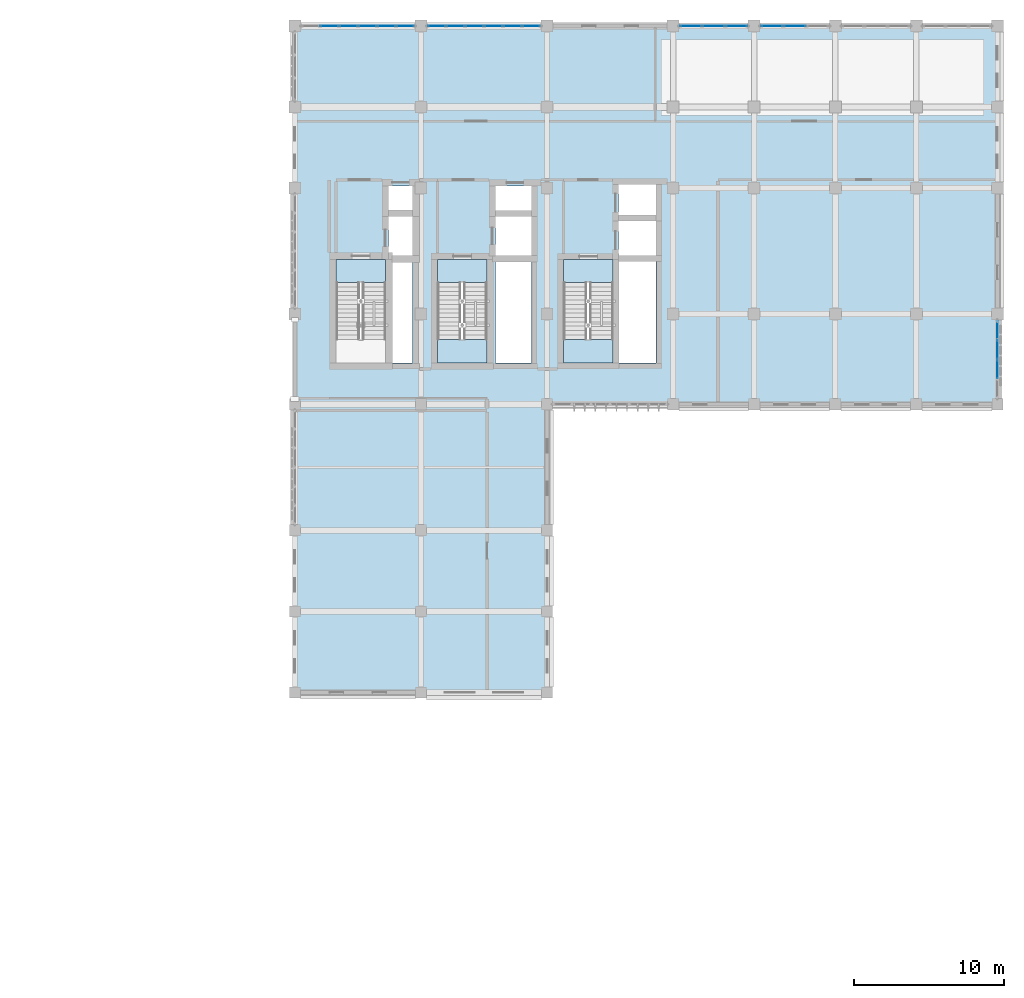
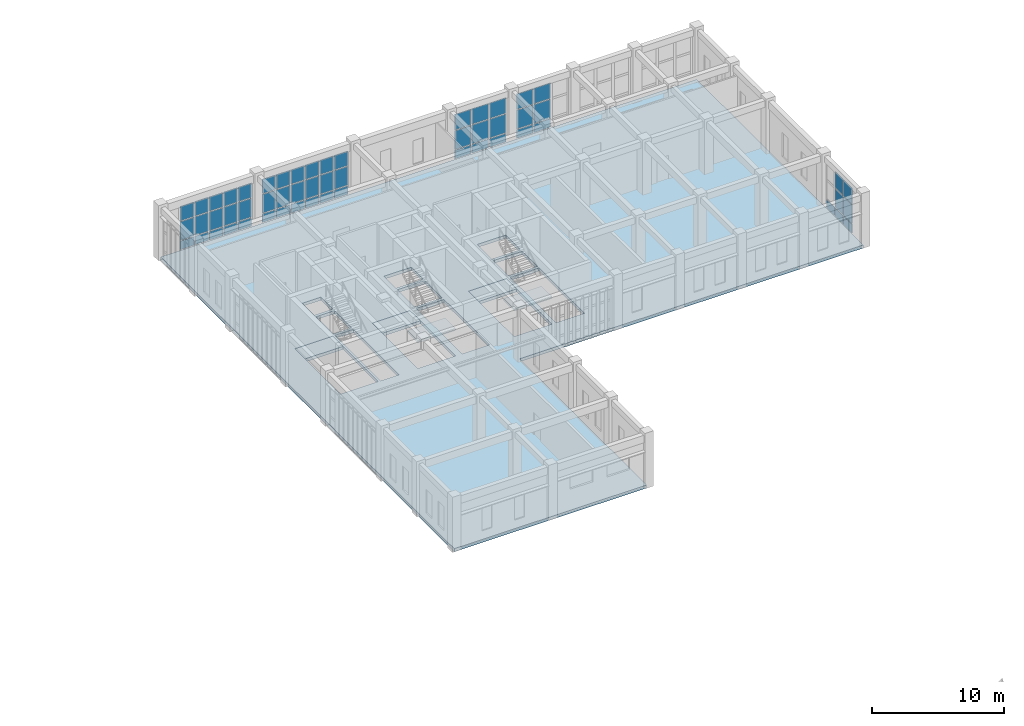
# One storey, part 52 of 77: 55 plates, 6 slabs, 7 elements without a shape of their own.
"""IFC4 building model written with IfcOpenShell, lengths in metres."""

from ifc_helpers import new_model, si_unit, direction, frame, origin, origin_2d, place, context, subcontext, project, spatial, polyline, rectangle, outline, extrude, material, layer, layer_set, type_object, element, aggregate, save


model = new_model("IFC4")

# Units and contexts
model_context = context("Model", 3, precision=1e-05, world=origin(), true_north=direction((0.0, 1.0)))
body_context = subcontext(model_context, "Body", "Model", "MODEL_VIEW")
ifc_project = project(units=[si_unit("LENGTHUNIT", "METRE"), si_unit("AREAUNIT", "SQUARE_METRE"), si_unit("VOLUMEUNIT", "CUBIC_METRE"), si_unit("PLANEANGLEUNIT", "RADIAN"), si_unit("MASSUNIT", "GRAM", prefix="KILO")], contexts=[model_context])

# Site, building, storey
site_placement = place(None, origin())
site = spatial("IfcSite", under=ifc_project, at=site_placement, CompositionType="ELEMENT")
building_placement = place(site_placement, origin())
building = spatial("IfcBuilding", under=site, at=building_placement, Name="Krzemoval Escarpment Law Courts", CompositionType="ELEMENT")
storey_placement = place(building_placement, frame((0.0, 0.0, 15.300048828125)))
storey = spatial("IfcBuildingStorey", under=building, at=storey_placement, Name="L03", CompositionType="ELEMENT", Elevation=15.300048828125)

# Curtain wall, plates
ifc_material_1 = material(Name="Aluminium 6063-T6", Category="aluminium")
ifc_layer_1 = layer(ifc_material_1, 0.239990234375)
ifc_layer_set_1 = layer_set([ifc_layer_1], Name="Aluminium 6063-T6")
curtain_wall_type = type_object("IfcCurtainWallType", Name="CW-CHMB-4800", PredefinedType="USERDEFINED", material=ifc_layer_set_1)
curtain_wall_1_placement = place(storey_placement, origin())
curtain_wall_1 = element("IfcCurtainWall", 1, at=curtain_wall_1_placement, inside=storey, type_object=curtain_wall_type, Name="Unitised Curtain Wall FCW-L03-114", ObjectType="UNITISED_CURTAIN_WALL", PredefinedType="USERDEFINED")
ifc_material_2 = material(Name="Triple Glazing IGU", Category="glass")
ifc_layer_2 = layer(ifc_material_2, 0.048095703125)
ifc_layer_set_2 = layer_set([ifc_layer_2], Name="Triple Glazing IGU")
plate_type = type_object("IfcPlateType", Name="CWP-GLZ-48", PredefinedType="CURTAIN_PANEL", material=ifc_layer_set_2)
plate_1_placement = place(storey_placement, frame((128.300048828125, 118.800048828125, 0.074951171875), z_axis=(0.0, 0.0, 1.0), x_axis=(1.0, 0.0, 0.0)))
plate_1 = element("IfcPlate", 2, at=plate_1_placement, type_object=plate_type, Name="FCW-L03-114 panel 2.1", PredefinedType="CURTAIN_PANEL", context=body_context, shape_type="SweptSolid", body=[
    extrude(rectangle(XDim=1.191650390625, YDim=0.048095703125, at=origin_2d()), origin(), (0.0, 0.0, 1.0), 0.78759765625),
])
plate_2_placement = place(storey_placement, frame((128.300048828125, 118.800048828125, 0.9375), z_axis=(0.0, 0.0, 1.0), x_axis=(1.0, 0.0, 0.0)))
plate_2 = element("IfcPlate", 3, at=plate_2_placement, type_object=plate_type, Name="FCW-L03-114 panel 2.2", PredefinedType="CURTAIN_PANEL", context=body_context, shape_type="SweptSolid", body=[
    extrude(rectangle(XDim=1.191650390625, YDim=0.048095703125, at=origin_2d()), origin(), (0.0, 0.0, 1.0), 1.72509765625),
])
plate_3_placement = place(storey_placement, frame((128.300048828125, 118.800048828125, 2.7373046875), z_axis=(0.0, 0.0, 1.0), x_axis=(1.0, 0.0, 0.0)))
plate_3 = element("IfcPlate", 4, at=plate_3_placement, type_object=plate_type, Name="FCW-L03-114 panel 2.3", PredefinedType="CURTAIN_PANEL", context=body_context, shape_type="SweptSolid", body=[
    extrude(rectangle(XDim=1.191650390625, YDim=0.048095703125, at=origin_2d()), origin(), (0.0, 0.0, 1.0), 1.327392578125),
])
plate_4_placement = place(storey_placement, frame((129.566650390625, 118.800048828125, 0.074951171875), z_axis=(0.0, 0.0, 1.0), x_axis=(1.0, 0.0, 0.0)))
plate_4 = element("IfcPlate", 5, at=plate_4_placement, type_object=plate_type, Name="FCW-L03-114 panel 3.1", PredefinedType="CURTAIN_PANEL", context=body_context, shape_type="SweptSolid", body=[
    extrude(rectangle(XDim=1.191650390625, YDim=0.048095703125, at=origin_2d()), origin(), (0.0, 0.0, 1.0), 0.78759765625),
])
plate_5_placement = place(storey_placement, frame((129.566650390625, 118.800048828125, 0.9375), z_axis=(0.0, 0.0, 1.0), x_axis=(1.0, 0.0, 0.0)))
plate_5 = element("IfcPlate", 6, at=plate_5_placement, type_object=plate_type, Name="FCW-L03-114 panel 3.2", PredefinedType="CURTAIN_PANEL", context=body_context, shape_type="SweptSolid", body=[
    extrude(rectangle(XDim=1.191650390625, YDim=0.048095703125, at=origin_2d()), origin(), (0.0, 0.0, 1.0), 1.72509765625),
])
plate_6_placement = place(storey_placement, frame((129.566650390625, 118.800048828125, 2.7373046875), z_axis=(0.0, 0.0, 1.0), x_axis=(1.0, 0.0, 0.0)))
plate_6 = element("IfcPlate", 7, at=plate_6_placement, type_object=plate_type, Name="FCW-L03-114 panel 3.3", PredefinedType="CURTAIN_PANEL", context=body_context, shape_type="SweptSolid", body=[
    extrude(rectangle(XDim=1.191650390625, YDim=0.048095703125, at=origin_2d()), origin(), (0.0, 0.0, 1.0), 1.327392578125),
])
plate_7_placement = place(storey_placement, frame((130.833251953125, 118.800048828125, 0.074951171875), z_axis=(0.0, 0.0, 1.0), x_axis=(1.0, 0.0, 0.0)))
plate_7 = element("IfcPlate", 8, at=plate_7_placement, type_object=plate_type, Name="FCW-L03-114 panel 4.1", PredefinedType="CURTAIN_PANEL", context=body_context, shape_type="SweptSolid", body=[
    extrude(rectangle(XDim=1.191650390625, YDim=0.048095703125, at=origin_2d()), origin(), (0.0, 0.0, 1.0), 0.78759765625),
])
plate_8_placement = place(storey_placement, frame((130.833251953125, 118.800048828125, 0.9375), z_axis=(0.0, 0.0, 1.0), x_axis=(1.0, 0.0, 0.0)))
plate_8 = element("IfcPlate", 9, at=plate_8_placement, type_object=plate_type, Name="FCW-L03-114 panel 4.2", PredefinedType="CURTAIN_PANEL", context=body_context, shape_type="SweptSolid", body=[
    extrude(rectangle(XDim=1.191650390625, YDim=0.048095703125, at=origin_2d()), origin(), (0.0, 0.0, 1.0), 1.72509765625),
])
plate_9_placement = place(storey_placement, frame((130.833251953125, 118.800048828125, 2.7373046875), z_axis=(0.0, 0.0, 1.0), x_axis=(1.0, 0.0, 0.0)))
plate_9 = element("IfcPlate", 10, at=plate_9_placement, type_object=plate_type, Name="FCW-L03-114 panel 4.3", PredefinedType="CURTAIN_PANEL", context=body_context, shape_type="SweptSolid", body=[
    extrude(rectangle(XDim=1.191650390625, YDim=0.048095703125, at=origin_2d()), origin(), (0.0, 0.0, 1.0), 1.327392578125),
])
plate_10_placement = place(storey_placement, frame((132.10009765625, 118.800048828125, 0.074951171875), z_axis=(0.0, 0.0, 1.0), x_axis=(1.0, 0.0, 0.0)))
plate_10 = element("IfcPlate", 11, at=plate_10_placement, type_object=plate_type, Name="FCW-L03-114 panel 5.1", PredefinedType="CURTAIN_PANEL", context=body_context, shape_type="SweptSolid", body=[
    extrude(rectangle(XDim=1.191650390625, YDim=0.048095703125, at=origin_2d()), origin(), (0.0, 0.0, 1.0), 0.78759765625),
])
plate_11_placement = place(storey_placement, frame((132.10009765625, 118.800048828125, 0.9375), z_axis=(0.0, 0.0, 1.0), x_axis=(1.0, 0.0, 0.0)))
plate_11 = element("IfcPlate", 12, at=plate_11_placement, type_object=plate_type, Name="FCW-L03-114 panel 5.2", PredefinedType="CURTAIN_PANEL", context=body_context, shape_type="SweptSolid", body=[
    extrude(rectangle(XDim=1.191650390625, YDim=0.048095703125, at=origin_2d()), origin(), (0.0, 0.0, 1.0), 1.72509765625),
])
plate_12_placement = place(storey_placement, frame((132.10009765625, 118.800048828125, 2.7373046875), z_axis=(0.0, 0.0, 1.0), x_axis=(1.0, 0.0, 0.0)))
plate_12 = element("IfcPlate", 13, at=plate_12_placement, type_object=plate_type, Name="FCW-L03-114 panel 5.3", PredefinedType="CURTAIN_PANEL", context=body_context, shape_type="SweptSolid", body=[
    extrude(rectangle(XDim=1.191650390625, YDim=0.048095703125, at=origin_2d()), origin(), (0.0, 0.0, 1.0), 1.327392578125),
])
plate_13_placement = place(storey_placement, frame((133.347900390625, 118.800048828125, 0.074951171875), z_axis=(0.0, 0.0, 1.0), x_axis=(1.0, 0.0, 0.0)))
plate_13 = element("IfcPlate", 14, at=plate_13_placement, type_object=plate_type, Name="FCW-L03-114 panel 6.1", PredefinedType="CURTAIN_PANEL", context=body_context, shape_type="SweptSolid", body=[
    extrude(rectangle(XDim=1.154052734375, YDim=0.048095703125, at=origin_2d()), origin(), (0.0, 0.0, 1.0), 0.78759765625),
])
plate_14_placement = place(storey_placement, frame((133.347900390625, 118.800048828125, 0.9375), z_axis=(0.0, 0.0, 1.0), x_axis=(1.0, 0.0, 0.0)))
plate_14 = element("IfcPlate", 15, at=plate_14_placement, type_object=plate_type, Name="FCW-L03-114 panel 6.2", PredefinedType="CURTAIN_PANEL", context=body_context, shape_type="SweptSolid", body=[
    extrude(rectangle(XDim=1.154052734375, YDim=0.048095703125, at=origin_2d()), origin(), (0.0, 0.0, 1.0), 1.72509765625),
])
plate_15_placement = place(storey_placement, frame((133.347900390625, 118.800048828125, 2.7373046875), z_axis=(0.0, 0.0, 1.0), x_axis=(1.0, 0.0, 0.0)))
plate_15 = element("IfcPlate", 16, at=plate_15_placement, type_object=plate_type, Name="FCW-L03-114 panel 6.3", PredefinedType="CURTAIN_PANEL", context=body_context, shape_type="SweptSolid", body=[
    extrude(rectangle(XDim=1.154052734375, YDim=0.048095703125, at=origin_2d()), origin(), (0.0, 0.0, 1.0), 1.327392578125),
])
aggregate(curtain_wall_1, [plate_1, plate_2, plate_3, plate_4, plate_5, plate_6, plate_7, plate_8, plate_9, plate_10, plate_11, plate_12, plate_13, plate_14, plate_15])

curtain_wall_2_placement = place(storey_placement, origin())
curtain_wall_2 = element("IfcCurtainWall", 17, at=curtain_wall_2_placement, inside=storey, type_object=curtain_wall_type, Name="Unitised Curtain Wall FCW-L03-115", ObjectType="UNITISED_CURTAIN_WALL", PredefinedType="USERDEFINED")
plate_16_placement = place(storey_placement, frame((135.4521484375, 118.800048828125, 0.074951171875), z_axis=(0.0, 0.0, 1.0), x_axis=(1.0, 0.0, 0.0)))
plate_16 = element("IfcPlate", 18, at=plate_16_placement, type_object=plate_type, Name="FCW-L03-115 panel 1.1", PredefinedType="CURTAIN_PANEL", context=body_context, shape_type="SweptSolid", body=[
    extrude(rectangle(XDim=1.154052734375, YDim=0.048095703125, at=origin_2d()), origin(), (0.0, 0.0, 1.0), 0.78759765625),
])
plate_17_placement = place(storey_placement, frame((135.4521484375, 118.800048828125, 0.9375), z_axis=(0.0, 0.0, 1.0), x_axis=(1.0, 0.0, 0.0)))
plate_17 = element("IfcPlate", 19, at=plate_17_placement, type_object=plate_type, Name="FCW-L03-115 panel 1.2", PredefinedType="CURTAIN_PANEL", context=body_context, shape_type="SweptSolid", body=[
    extrude(rectangle(XDim=1.154052734375, YDim=0.048095703125, at=origin_2d()), origin(), (0.0, 0.0, 1.0), 1.72509765625),
])
plate_18_placement = place(storey_placement, frame((135.4521484375, 118.800048828125, 2.7373046875), z_axis=(0.0, 0.0, 1.0), x_axis=(1.0, 0.0, 0.0)))
plate_18 = element("IfcPlate", 20, at=plate_18_placement, type_object=plate_type, Name="FCW-L03-115 panel 1.3", PredefinedType="CURTAIN_PANEL", context=body_context, shape_type="SweptSolid", body=[
    extrude(rectangle(XDim=1.154052734375, YDim=0.048095703125, at=origin_2d()), origin(), (0.0, 0.0, 1.0), 1.327392578125),
])
plate_19_placement = place(storey_placement, frame((136.699951171875, 118.800048828125, 0.074951171875), z_axis=(0.0, 0.0, 1.0), x_axis=(1.0, 0.0, 0.0)))
plate_19 = element("IfcPlate", 21, at=plate_19_placement, type_object=plate_type, Name="FCW-L03-115 panel 2.1", PredefinedType="CURTAIN_PANEL", context=body_context, shape_type="SweptSolid", body=[
    extrude(rectangle(XDim=1.191650390625, YDim=0.048095703125, at=origin_2d()), origin(), (0.0, 0.0, 1.0), 0.78759765625),
])
plate_20_placement = place(storey_placement, frame((136.699951171875, 118.800048828125, 0.9375), z_axis=(0.0, 0.0, 1.0), x_axis=(1.0, 0.0, 0.0)))
plate_20 = element("IfcPlate", 22, at=plate_20_placement, type_object=plate_type, Name="FCW-L03-115 panel 2.2", PredefinedType="CURTAIN_PANEL", context=body_context, shape_type="SweptSolid", body=[
    extrude(rectangle(XDim=1.191650390625, YDim=0.048095703125, at=origin_2d()), origin(), (0.0, 0.0, 1.0), 1.72509765625),
])
plate_21_placement = place(storey_placement, frame((136.699951171875, 118.800048828125, 2.7373046875), z_axis=(0.0, 0.0, 1.0), x_axis=(1.0, 0.0, 0.0)))
plate_21 = element("IfcPlate", 23, at=plate_21_placement, type_object=plate_type, Name="FCW-L03-115 panel 2.3", PredefinedType="CURTAIN_PANEL", context=body_context, shape_type="SweptSolid", body=[
    extrude(rectangle(XDim=1.191650390625, YDim=0.048095703125, at=origin_2d()), origin(), (0.0, 0.0, 1.0), 1.327392578125),
])
plate_22_placement = place(storey_placement, frame((137.966552734375, 118.800048828125, 0.074951171875), z_axis=(0.0, 0.0, 1.0), x_axis=(1.0, 0.0, 0.0)))
plate_22 = element("IfcPlate", 24, at=plate_22_placement, type_object=plate_type, Name="FCW-L03-115 panel 3.1", PredefinedType="CURTAIN_PANEL", context=body_context, shape_type="SweptSolid", body=[
    extrude(rectangle(XDim=1.191650390625, YDim=0.048095703125, at=origin_2d()), origin(), (0.0, 0.0, 1.0), 0.78759765625),
])
plate_23_placement = place(storey_placement, frame((137.966552734375, 118.800048828125, 0.9375), z_axis=(0.0, 0.0, 1.0), x_axis=(1.0, 0.0, 0.0)))
plate_23 = element("IfcPlate", 25, at=plate_23_placement, type_object=plate_type, Name="FCW-L03-115 panel 3.2", PredefinedType="CURTAIN_PANEL", context=body_context, shape_type="SweptSolid", body=[
    extrude(rectangle(XDim=1.191650390625, YDim=0.048095703125, at=origin_2d()), origin(), (0.0, 0.0, 1.0), 1.72509765625),
])
plate_24_placement = place(storey_placement, frame((137.966552734375, 118.800048828125, 2.7373046875), z_axis=(0.0, 0.0, 1.0), x_axis=(1.0, 0.0, 0.0)))
plate_24 = element("IfcPlate", 26, at=plate_24_placement, type_object=plate_type, Name="FCW-L03-115 panel 3.3", PredefinedType="CURTAIN_PANEL", context=body_context, shape_type="SweptSolid", body=[
    extrude(rectangle(XDim=1.191650390625, YDim=0.048095703125, at=origin_2d()), origin(), (0.0, 0.0, 1.0), 1.327392578125),
])
plate_25_placement = place(storey_placement, frame((139.2333984375, 118.800048828125, 0.074951171875), z_axis=(0.0, 0.0, 1.0), x_axis=(1.0, 0.0, 0.0)))
plate_25 = element("IfcPlate", 27, at=plate_25_placement, type_object=plate_type, Name="FCW-L03-115 panel 4.1", PredefinedType="CURTAIN_PANEL", context=body_context, shape_type="SweptSolid", body=[
    extrude(rectangle(XDim=1.191650390625, YDim=0.048095703125, at=origin_2d()), origin(), (0.0, 0.0, 1.0), 0.78759765625),
])
plate_26_placement = place(storey_placement, frame((139.2333984375, 118.800048828125, 0.9375), z_axis=(0.0, 0.0, 1.0), x_axis=(1.0, 0.0, 0.0)))
plate_26 = element("IfcPlate", 28, at=plate_26_placement, type_object=plate_type, Name="FCW-L03-115 panel 4.2", PredefinedType="CURTAIN_PANEL", context=body_context, shape_type="SweptSolid", body=[
    extrude(rectangle(XDim=1.191650390625, YDim=0.048095703125, at=origin_2d()), origin(), (0.0, 0.0, 1.0), 1.72509765625),
])
plate_27_placement = place(storey_placement, frame((139.2333984375, 118.800048828125, 2.7373046875), z_axis=(0.0, 0.0, 1.0), x_axis=(1.0, 0.0, 0.0)))
plate_27 = element("IfcPlate", 29, at=plate_27_placement, type_object=plate_type, Name="FCW-L03-115 panel 4.3", PredefinedType="CURTAIN_PANEL", context=body_context, shape_type="SweptSolid", body=[
    extrude(rectangle(XDim=1.191650390625, YDim=0.048095703125, at=origin_2d()), origin(), (0.0, 0.0, 1.0), 1.327392578125),
])
plate_28_placement = place(storey_placement, frame((140.5, 118.800048828125, 0.074951171875), z_axis=(0.0, 0.0, 1.0), x_axis=(1.0, 0.0, 0.0)))
plate_28 = element("IfcPlate", 30, at=plate_28_placement, type_object=plate_type, Name="FCW-L03-115 panel 5.1", PredefinedType="CURTAIN_PANEL", context=body_context, shape_type="SweptSolid", body=[
    extrude(rectangle(XDim=1.191650390625, YDim=0.048095703125, at=origin_2d()), origin(), (0.0, 0.0, 1.0), 0.78759765625),
])
plate_29_placement = place(storey_placement, frame((140.5, 118.800048828125, 0.9375), z_axis=(0.0, 0.0, 1.0), x_axis=(1.0, 0.0, 0.0)))
plate_29 = element("IfcPlate", 31, at=plate_29_placement, type_object=plate_type, Name="FCW-L03-115 panel 5.2", PredefinedType="CURTAIN_PANEL", context=body_context, shape_type="SweptSolid", body=[
    extrude(rectangle(XDim=1.191650390625, YDim=0.048095703125, at=origin_2d()), origin(), (0.0, 0.0, 1.0), 1.72509765625),
])
plate_30_placement = place(storey_placement, frame((140.5, 118.800048828125, 2.7373046875), z_axis=(0.0, 0.0, 1.0), x_axis=(1.0, 0.0, 0.0)))
plate_30 = element("IfcPlate", 32, at=plate_30_placement, type_object=plate_type, Name="FCW-L03-115 panel 5.3", PredefinedType="CURTAIN_PANEL", context=body_context, shape_type="SweptSolid", body=[
    extrude(rectangle(XDim=1.191650390625, YDim=0.048095703125, at=origin_2d()), origin(), (0.0, 0.0, 1.0), 1.327392578125),
])
plate_31_placement = place(storey_placement, frame((141.747802734375, 118.800048828125, 0.074951171875), z_axis=(0.0, 0.0, 1.0), x_axis=(1.0, 0.0, 0.0)))
plate_31 = element("IfcPlate", 33, at=plate_31_placement, type_object=plate_type, Name="FCW-L03-115 panel 6.1", PredefinedType="CURTAIN_PANEL", context=body_context, shape_type="SweptSolid", body=[
    extrude(rectangle(XDim=1.154052734375, YDim=0.048095703125, at=origin_2d()), origin(), (0.0, 0.0, 1.0), 0.78759765625),
])
plate_32_placement = place(storey_placement, frame((141.747802734375, 118.800048828125, 0.9375), z_axis=(0.0, 0.0, 1.0), x_axis=(1.0, 0.0, 0.0)))
plate_32 = element("IfcPlate", 34, at=plate_32_placement, type_object=plate_type, Name="FCW-L03-115 panel 6.2", PredefinedType="CURTAIN_PANEL", context=body_context, shape_type="SweptSolid", body=[
    extrude(rectangle(XDim=1.154052734375, YDim=0.048095703125, at=origin_2d()), origin(), (0.0, 0.0, 1.0), 1.72509765625),
])
plate_33_placement = place(storey_placement, frame((141.747802734375, 118.800048828125, 2.7373046875), z_axis=(0.0, 0.0, 1.0), x_axis=(1.0, 0.0, 0.0)))
plate_33 = element("IfcPlate", 35, at=plate_33_placement, type_object=plate_type, Name="FCW-L03-115 panel 6.3", PredefinedType="CURTAIN_PANEL", context=body_context, shape_type="SweptSolid", body=[
    extrude(rectangle(XDim=1.154052734375, YDim=0.048095703125, at=origin_2d()), origin(), (0.0, 0.0, 1.0), 1.327392578125),
])
aggregate(curtain_wall_2, [plate_16, plate_17, plate_18, plate_19, plate_20, plate_21, plate_22, plate_23, plate_24, plate_25, plate_26, plate_27, plate_28, plate_29, plate_30, plate_31, plate_32, plate_33])

curtain_wall_3_placement = place(storey_placement, origin())
curtain_wall_3 = element("IfcCurtainWall", 36, at=curtain_wall_3_placement, inside=storey, type_object=curtain_wall_type, Name="Unitised Curtain Wall FCW-L03-116", ObjectType="UNITISED_CURTAIN_WALL", PredefinedType="USERDEFINED")
plate_34_placement = place(storey_placement, frame((152.385498046875, 118.800048828125, 0.074951171875), z_axis=(0.0, 0.0, 1.0), x_axis=(1.0, 0.0, 0.0)))
plate_34 = element("IfcPlate", 37, at=plate_34_placement, type_object=plate_type, Name="FCW-L03-116 panel 1.1", PredefinedType="CURTAIN_PANEL", context=body_context, shape_type="SweptSolid", body=[
    extrude(rectangle(XDim=1.4208984375, YDim=0.048095703125, at=origin_2d()), origin(), (0.0, 0.0, 1.0), 0.78759765625),
])
plate_35_placement = place(storey_placement, frame((152.385498046875, 118.800048828125, 0.9375), z_axis=(0.0, 0.0, 1.0), x_axis=(1.0, 0.0, 0.0)))
plate_35 = element("IfcPlate", 38, at=plate_35_placement, type_object=plate_type, Name="FCW-L03-116 panel 1.2", PredefinedType="CURTAIN_PANEL", context=body_context, shape_type="SweptSolid", body=[
    extrude(rectangle(XDim=1.4208984375, YDim=0.048095703125, at=origin_2d()), origin(), (0.0, 0.0, 1.0), 1.72509765625),
])
plate_36_placement = place(storey_placement, frame((152.385498046875, 118.800048828125, 2.7373046875), z_axis=(0.0, 0.0, 1.0), x_axis=(1.0, 0.0, 0.0)))
plate_36 = element("IfcPlate", 39, at=plate_36_placement, type_object=plate_type, Name="FCW-L03-116 panel 1.3", PredefinedType="CURTAIN_PANEL", context=body_context, shape_type="SweptSolid", body=[
    extrude(rectangle(XDim=1.4208984375, YDim=0.048095703125, at=origin_2d()), origin(), (0.0, 0.0, 1.0), 1.427490234375),
])
plate_37_placement = place(storey_placement, frame((153.89990234375, 118.800048828125, 0.074951171875), z_axis=(0.0, 0.0, 1.0), x_axis=(1.0, 0.0, 0.0)))
plate_37 = element("IfcPlate", 40, at=plate_37_placement, type_object=plate_type, Name="FCW-L03-116 panel 2.1", PredefinedType="CURTAIN_PANEL", context=body_context, shape_type="SweptSolid", body=[
    extrude(rectangle(XDim=1.458251953125, YDim=0.048095703125, at=origin_2d()), origin(), (0.0, 0.0, 1.0), 0.78759765625),
])
plate_38_placement = place(storey_placement, frame((153.89990234375, 118.800048828125, 0.9375), z_axis=(0.0, 0.0, 1.0), x_axis=(1.0, 0.0, 0.0)))
plate_38 = element("IfcPlate", 41, at=plate_38_placement, type_object=plate_type, Name="FCW-L03-116 panel 2.2", PredefinedType="CURTAIN_PANEL", context=body_context, shape_type="SweptSolid", body=[
    extrude(rectangle(XDim=1.458251953125, YDim=0.048095703125, at=origin_2d()), origin(), (0.0, 0.0, 1.0), 1.72509765625),
])
plate_39_placement = place(storey_placement, frame((153.89990234375, 118.800048828125, 2.7373046875), z_axis=(0.0, 0.0, 1.0), x_axis=(1.0, 0.0, 0.0)))
plate_39 = element("IfcPlate", 42, at=plate_39_placement, type_object=plate_type, Name="FCW-L03-116 panel 2.3", PredefinedType="CURTAIN_PANEL", context=body_context, shape_type="SweptSolid", body=[
    extrude(rectangle(XDim=1.458251953125, YDim=0.048095703125, at=origin_2d()), origin(), (0.0, 0.0, 1.0), 1.427490234375),
])
plate_40_placement = place(storey_placement, frame((155.41455078125, 118.800048828125, 0.074951171875), z_axis=(0.0, 0.0, 1.0), x_axis=(1.0, 0.0, 0.0)))
plate_40 = element("IfcPlate", 43, at=plate_40_placement, type_object=plate_type, Name="FCW-L03-116 panel 3.1", PredefinedType="CURTAIN_PANEL", context=body_context, shape_type="SweptSolid", body=[
    extrude(rectangle(XDim=1.4208984375, YDim=0.048095703125, at=origin_2d()), origin(), (0.0, 0.0, 1.0), 0.78759765625),
])
plate_41_placement = place(storey_placement, frame((155.41455078125, 118.800048828125, 0.9375), z_axis=(0.0, 0.0, 1.0), x_axis=(1.0, 0.0, 0.0)))
plate_41 = element("IfcPlate", 44, at=plate_41_placement, type_object=plate_type, Name="FCW-L03-116 panel 3.2", PredefinedType="CURTAIN_PANEL", context=body_context, shape_type="SweptSolid", body=[
    extrude(rectangle(XDim=1.4208984375, YDim=0.048095703125, at=origin_2d()), origin(), (0.0, 0.0, 1.0), 1.72509765625),
])
plate_42_placement = place(storey_placement, frame((155.41455078125, 118.800048828125, 2.7373046875), z_axis=(0.0, 0.0, 1.0), x_axis=(1.0, 0.0, 0.0)))
plate_42 = element("IfcPlate", 45, at=plate_42_placement, type_object=plate_type, Name="FCW-L03-116 panel 3.3", PredefinedType="CURTAIN_PANEL", context=body_context, shape_type="SweptSolid", body=[
    extrude(rectangle(XDim=1.4208984375, YDim=0.048095703125, at=origin_2d()), origin(), (0.0, 0.0, 1.0), 1.427490234375),
])
aggregate(curtain_wall_3, [plate_34, plate_35, plate_36, plate_37, plate_38, plate_39, plate_40, plate_41, plate_42])

curtain_wall_4_placement = place(storey_placement, origin())
curtain_wall_4 = element("IfcCurtainWall", 46, at=curtain_wall_4_placement, inside=storey, type_object=curtain_wall_type, Name="Unitised Curtain Wall FCW-L03-117", ObjectType="UNITISED_CURTAIN_WALL", PredefinedType="USERDEFINED")
plate_43_placement = place(storey_placement, frame((157.785400390625, 118.800048828125, 0.074951171875), z_axis=(0.0, 0.0, 1.0), x_axis=(1.0, 0.0, 0.0)))
plate_43 = element("IfcPlate", 47, at=plate_43_placement, type_object=plate_type, Name="FCW-L03-117 panel 1.1", PredefinedType="CURTAIN_PANEL", context=body_context, shape_type="SweptSolid", body=[
    extrude(rectangle(XDim=1.4208984375, YDim=0.048095703125, at=origin_2d()), origin(), (0.0, 0.0, 1.0), 0.78759765625),
])
plate_44_placement = place(storey_placement, frame((157.785400390625, 118.800048828125, 0.9375), z_axis=(0.0, 0.0, 1.0), x_axis=(1.0, 0.0, 0.0)))
plate_44 = element("IfcPlate", 48, at=plate_44_placement, type_object=plate_type, Name="FCW-L03-117 panel 1.2", PredefinedType="CURTAIN_PANEL", context=body_context, shape_type="SweptSolid", body=[
    extrude(rectangle(XDim=1.4208984375, YDim=0.048095703125, at=origin_2d()), origin(), (0.0, 0.0, 1.0), 1.72509765625),
])
plate_45_placement = place(storey_placement, frame((157.785400390625, 118.800048828125, 2.7373046875), z_axis=(0.0, 0.0, 1.0), x_axis=(1.0, 0.0, 0.0)))
plate_45 = element("IfcPlate", 49, at=plate_45_placement, type_object=plate_type, Name="FCW-L03-117 panel 1.3", PredefinedType="CURTAIN_PANEL", context=body_context, shape_type="SweptSolid", body=[
    extrude(rectangle(XDim=1.4208984375, YDim=0.048095703125, at=origin_2d()), origin(), (0.0, 0.0, 1.0), 1.427490234375),
])
plate_46_placement = place(storey_placement, frame((159.300048828125, 118.800048828125, 0.074951171875), z_axis=(0.0, 0.0, 1.0), x_axis=(1.0, 0.0, 0.0)))
plate_46 = element("IfcPlate", 50, at=plate_46_placement, type_object=plate_type, Name="FCW-L03-117 panel 2.1", PredefinedType="CURTAIN_PANEL", context=body_context, shape_type="SweptSolid", body=[
    extrude(rectangle(XDim=1.458251953125, YDim=0.048095703125, at=origin_2d()), origin(), (0.0, 0.0, 1.0), 0.78759765625),
])
plate_47_placement = place(storey_placement, frame((159.300048828125, 118.800048828125, 0.9375), z_axis=(0.0, 0.0, 1.0), x_axis=(1.0, 0.0, 0.0)))
plate_47 = element("IfcPlate", 51, at=plate_47_placement, type_object=plate_type, Name="FCW-L03-117 panel 2.2", PredefinedType="CURTAIN_PANEL", context=body_context, shape_type="SweptSolid", body=[
    extrude(rectangle(XDim=1.458251953125, YDim=0.048095703125, at=origin_2d()), origin(), (0.0, 0.0, 1.0), 1.72509765625),
])
plate_48_placement = place(storey_placement, frame((159.300048828125, 118.800048828125, 2.7373046875), z_axis=(0.0, 0.0, 1.0), x_axis=(1.0, 0.0, 0.0)))
plate_48 = element("IfcPlate", 52, at=plate_48_placement, type_object=plate_type, Name="FCW-L03-117 panel 2.3", PredefinedType="CURTAIN_PANEL", context=body_context, shape_type="SweptSolid", body=[
    extrude(rectangle(XDim=1.458251953125, YDim=0.048095703125, at=origin_2d()), origin(), (0.0, 0.0, 1.0), 1.427490234375),
])
aggregate(curtain_wall_4, [plate_43, plate_44, plate_45, plate_46, plate_47, plate_48])

curtain_wall_5_placement = place(storey_placement, origin())
curtain_wall_5 = element("IfcCurtainWall", 53, at=curtain_wall_5_placement, inside=storey, type_object=curtain_wall_type, Name="Unitised Curtain Wall FCW-L03-120", ObjectType="UNITISED_CURTAIN_WALL", PredefinedType="USERDEFINED")
plate_49_placement = place(storey_placement, frame((172.800048828125, 98.528076171875, 0.074951171875), z_axis=(0.0, 0.0, 1.0), x_axis=(0.0, -1.0, 0.0)))
plate_49 = element("IfcPlate", 54, at=plate_49_placement, type_object=plate_type, Name="FCW-L03-120 panel 1.1", PredefinedType="CURTAIN_PANEL", context=body_context, shape_type="SweptSolid", body=[
    extrude(rectangle(XDim=1.19384765625, YDim=0.048095703125, at=origin_2d()), origin(), (0.0, 0.0, 1.0), 0.78759765625),
])
plate_50_placement = place(storey_placement, frame((172.800048828125, 97.24072265625, 0.074951171875), z_axis=(0.0, 0.0, 1.0), x_axis=(0.0, -1.0, 0.0)))
plate_50 = element("IfcPlate", 55, at=plate_50_placement, type_object=plate_type, Name="FCW-L03-120 panel 2.1", PredefinedType="CURTAIN_PANEL", context=body_context, shape_type="SweptSolid", body=[
    extrude(rectangle(XDim=1.231201171875, YDim=0.048095703125, at=origin_2d()), origin(), (0.0, 0.0, 1.0), 0.78759765625),
])
plate_51_placement = place(storey_placement, frame((172.800048828125, 97.24072265625, 0.9375), z_axis=(0.0, 0.0, 1.0), x_axis=(0.0, -1.0, 0.0)))
plate_51 = element("IfcPlate", 56, at=plate_51_placement, type_object=plate_type, Name="FCW-L03-120 panel 2.2", PredefinedType="CURTAIN_PANEL", context=body_context, shape_type="SweptSolid", body=[
    extrude(rectangle(XDim=1.231201171875, YDim=0.048095703125, at=origin_2d()), origin(), (0.0, 0.0, 1.0), 1.72509765625),
])
plate_52_placement = place(storey_placement, frame((172.800048828125, 97.24072265625, 2.737548828125), z_axis=(0.0, 0.0, 1.0), x_axis=(0.0, -1.0, 0.0)))
plate_52 = element("IfcPlate", 57, at=plate_52_placement, type_object=plate_type, Name="FCW-L03-120 panel 2.3", PredefinedType="CURTAIN_PANEL", context=body_context, shape_type="SweptSolid", body=[
    extrude(rectangle(XDim=1.231201171875, YDim=0.048095703125, at=origin_2d()), origin(), (0.0, 0.0, 1.0), 1.4775390625),
])
plate_53_placement = place(storey_placement, frame((172.800048828125, 95.934326171875, 0.074951171875), z_axis=(0.0, 0.0, 1.0), x_axis=(0.0, -1.0, 0.0)))
plate_53 = element("IfcPlate", 58, at=plate_53_placement, type_object=plate_type, Name="FCW-L03-120 panel 3.1", PredefinedType="CURTAIN_PANEL", context=body_context, shape_type="SweptSolid", body=[
    extrude(rectangle(XDim=1.231201171875, YDim=0.048095703125, at=origin_2d()), origin(), (0.0, 0.0, 1.0), 0.78759765625),
])
plate_54_placement = place(storey_placement, frame((172.800048828125, 95.934326171875, 0.9375), z_axis=(0.0, 0.0, 1.0), x_axis=(0.0, -1.0, 0.0)))
plate_54 = element("IfcPlate", 59, at=plate_54_placement, type_object=plate_type, Name="FCW-L03-120 panel 3.2", PredefinedType="CURTAIN_PANEL", context=body_context, shape_type="SweptSolid", body=[
    extrude(rectangle(XDim=1.231201171875, YDim=0.048095703125, at=origin_2d()), origin(), (0.0, 0.0, 1.0), 1.72509765625),
])
plate_55_placement = place(storey_placement, frame((172.800048828125, 95.934326171875, 2.737548828125), z_axis=(0.0, 0.0, 1.0), x_axis=(0.0, -1.0, 0.0)))
plate_55 = element("IfcPlate", 60, at=plate_55_placement, type_object=plate_type, Name="FCW-L03-120 panel 3.3", PredefinedType="CURTAIN_PANEL", context=body_context, shape_type="SweptSolid", body=[
    extrude(rectangle(XDim=1.231201171875, YDim=0.048095703125, at=origin_2d()), origin(), (0.0, 0.0, 1.0), 1.4775390625),
])
aggregate(curtain_wall_5, [plate_49, plate_50, plate_51, plate_52, plate_53, plate_54, plate_55])

# Stair, slab
ifc_material_3 = material(Name="Concrete C40/50", Category="concrete")
stair_type = type_object("IfcStairType", Name="STR-CORE-1550", PredefinedType="HALF_TURN_STAIR", material=ifc_material_3)
stair_1_placement = place(storey_placement, origin())
stair_1 = element("IfcStair", 61, at=stair_1_placement, inside=storey, type_object=stair_type, Name="L03 ST2", PredefinedType="HALF_TURN_STAIR")
ifc_material_4 = material(Name="Concrete C40/50", Category="concrete")
ifc_layer_3 = layer(ifc_material_4, 0.199951171875)
ifc_layer_set_3 = layer_set([ifc_layer_3], Name="Concrete C40/50")
slab_type_1 = type_object("IfcSlabType", Name="SL-LND-200", PredefinedType="LANDING", material=ifc_layer_set_3)
slab_1_placement = place(storey_placement, frame((0.0, 0.0, 2.349853515625)))
slab_1 = element("IfcSlab", 62, at=slab_1_placement, type_object=slab_type_1, Name="ST2 landing 1", PredefinedType="LANDING", context=body_context, shape_type="SweptSolid", body=[
    extrude(outline(polyline([(135.5, 97.929931640625), (135.5, 96.35009765625), (138.800048828125, 96.35009765625), (138.800048828125, 97.929931640625), (135.5, 97.929931640625)])), origin(), (0.0, 0.0, 1.0), 0.2001953125),
])
aggregate(stair_1, [slab_1])

stair_2_placement = place(storey_placement, origin())
stair_2 = element("IfcStair", 63, at=stair_2_placement, inside=storey, type_object=stair_type, Name="L03 ST3", PredefinedType="HALF_TURN_STAIR")
slab_2_placement = place(storey_placement, frame((0.0, 0.0, 2.349853515625)))
slab_2 = element("IfcSlab", 64, at=slab_2_placement, type_object=slab_type_1, Name="ST3 landing 1", PredefinedType="LANDING", context=body_context, shape_type="SweptSolid", body=[
    extrude(outline(polyline([(143.89990234375, 97.929931640625), (143.89990234375, 96.35009765625), (147.199951171875, 96.35009765625), (147.199951171875, 97.929931640625), (143.89990234375, 97.929931640625)])), origin(), (0.0, 0.0, 1.0), 0.2001953125),
])
aggregate(stair_2, [slab_2])

# Slabs
ifc_material_5 = material(Name="Concrete C50/60", Category="concrete")
ifc_layer_4 = layer(ifc_material_5, 0.280029296875)
ifc_layer_set_4 = layer_set([ifc_layer_4], Name="Concrete C50/60")
slab_type_2 = type_object("IfcSlabType", Name="SL-PT-280", PredefinedType="FLOOR", material=ifc_layer_set_4)
slab_3_placement = place(storey_placement, frame((0.0, 0.0, -0.280029296875)))
element("IfcSlab", 65, at=slab_3_placement, inside=storey, type_object=slab_type_2, Name="Floor Slab SL-L03-V5-041", PredefinedType="FLOOR", context=body_context, shape_type="SweptSolid", body=[
    extrude(outline(polyline([(142.800048828125, 93.60009765625), (142.800048828125, 74.39990234375), (126.0, 74.39990234375), (126.0, 118.800048828125), (172.800048828125, 118.800048828125), (172.800048828125, 93.60009765625), (142.800048828125, 93.60009765625)]), holes=[polyline([(133.85009765625, 103.5), (133.85009765625, 106.10009765625), (132.25, 106.10009765625), (132.25, 103.5), (133.85009765625, 103.5)]), polyline([(132.25, 106.35009765625), (133.85009765625, 106.35009765625), (133.85009765625, 108.14990234375), (132.25, 108.14990234375), (132.25, 106.35009765625)]), polyline([(132.25, 103.25), (132.25, 96.35009765625), (133.85009765625, 96.35009765625), (133.85009765625, 103.25), (132.25, 103.25)]), polyline([(141.75, 106.10009765625), (139.35009765625, 106.10009765625), (139.35009765625, 103.5), (141.75, 103.5), (141.75, 106.10009765625)]), polyline([(141.75, 106.35009765625), (141.75, 108.14990234375), (139.35009765625, 108.14990234375), (139.35009765625, 106.35009765625), (141.75, 106.35009765625)]), polyline([(139.35009765625, 96.35009765625), (141.75, 96.35009765625), (141.75, 103.25), (139.35009765625, 103.25), (139.35009765625, 96.35009765625)]), polyline([(147.550048828125, 105.800048828125), (147.550048828125, 103.5), (150.050048828125, 103.5), (150.050048828125, 105.800048828125), (147.550048828125, 105.800048828125)]), polyline([(150.050048828125, 108.25), (147.550048828125, 108.25), (147.550048828125, 106.050048828125), (150.050048828125, 106.050048828125), (150.050048828125, 108.25)]), polyline([(150.050048828125, 96.35009765625), (150.050048828125, 103.25), (147.550048828125, 103.25), (147.550048828125, 96.35009765625), (150.050048828125, 96.35009765625)]), polyline([(128.75, 96.35009765625), (132.050048828125, 96.35009765625), (132.050048828125, 103.25), (128.75, 103.25), (128.75, 96.35009765625)]), polyline([(135.5, 103.25), (135.5, 96.35009765625), (138.800048828125, 96.35009765625), (138.800048828125, 103.25), (135.5, 103.25)]), polyline([(147.199951171875, 103.25), (143.89990234375, 103.25), (143.89990234375, 96.35009765625), (147.199951171875, 96.35009765625), (147.199951171875, 103.25)])]), origin(), (0.0, 0.0, 1.0), 0.280029296875),
])
slab_4_placement = place(storey_placement, frame((0.0, 0.0, -0.280029296875)))
element("IfcSlab", 66, at=slab_4_placement, inside=storey, type_object=slab_type_2, Name="Core Floor Landing Slab SL-ST1-L03-FL", PredefinedType="FLOOR", context=body_context, shape_type="SweptSolid", body=[
    extrude(outline(polyline([(128.75, 103.25), (128.75, 101.699951171875), (132.050048828125, 101.699951171875), (132.050048828125, 103.25), (128.75, 103.25)])), origin(), (0.0, 0.0, 1.0), 0.280029296875),
])
slab_5_placement = place(storey_placement, frame((0.0, 0.0, -0.280029296875)))
element("IfcSlab", 67, at=slab_5_placement, inside=storey, type_object=slab_type_2, Name="Core Floor Landing Slab SL-ST2-L03-FL", PredefinedType="FLOOR", context=body_context, shape_type="SweptSolid", body=[
    extrude(outline(polyline([(135.5, 103.25), (135.5, 101.699951171875), (138.800048828125, 101.699951171875), (138.800048828125, 103.25), (135.5, 103.25)])), origin(), (0.0, 0.0, 1.0), 0.280029296875),
])
slab_6_placement = place(storey_placement, frame((0.0, 0.0, -0.280029296875)))
element("IfcSlab", 68, at=slab_6_placement, inside=storey, type_object=slab_type_2, Name="Core Floor Landing Slab SL-ST3-L03-FL", PredefinedType="FLOOR", context=body_context, shape_type="SweptSolid", body=[
    extrude(outline(polyline([(143.89990234375, 103.25), (143.89990234375, 101.699951171875), (147.199951171875, 101.699951171875), (147.199951171875, 103.25), (143.89990234375, 103.25)])), origin(), (0.0, 0.0, 1.0), 0.280029296875),
])

save(model, "model.ifc")
